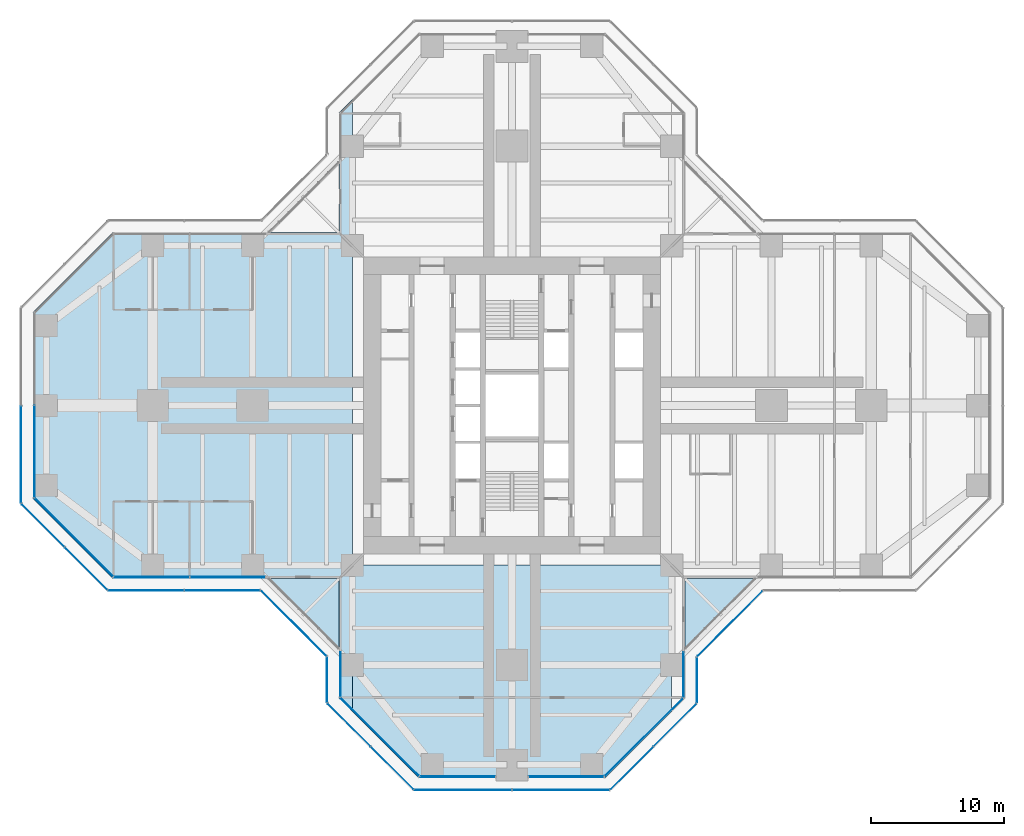
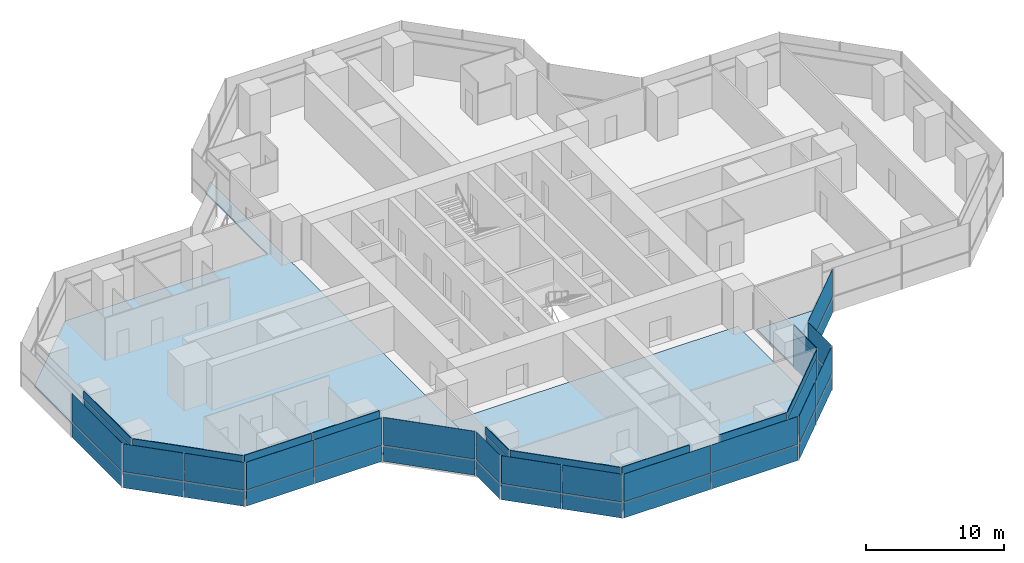
# One storey, part 12 of 20: 50 plates, 4 slabs, 19 elements without a shape of their own.
"""IFC4 building model written with IfcOpenShell, lengths in metres."""

from ifc_helpers import new_model, si_unit, direction, frame, origin, origin_2d, place, context, subcontext, project, spatial, polyline, rectangle, outline, extrude, material, layer, layer_set, type_object, element, aggregate, save


model = new_model("IFC4")

# Units and contexts
model_context = context("Model", 3, precision=1e-05, world=origin(), true_north=direction((0.0, 1.0)))
body_context = subcontext(model_context, "Body", "Model", "MODEL_VIEW")
ifc_project = project(units=[si_unit("LENGTHUNIT", "METRE"), si_unit("AREAUNIT", "SQUARE_METRE"), si_unit("VOLUMEUNIT", "CUBIC_METRE"), si_unit("PLANEANGLEUNIT", "RADIAN"), si_unit("MASSUNIT", "GRAM", prefix="KILO")], contexts=[model_context])

# Site, building, storey
site_placement = place(None, origin())
site = spatial("IfcSite", under=ifc_project, at=site_placement, CompositionType="ELEMENT")
building_placement = place(site_placement, origin())
building = spatial("IfcBuilding", under=site, at=building_placement, Name="Mizan Broadcast Tower", CompositionType="ELEMENT")
storey_placement = place(building_placement, frame((0.0, 0.0, 171.0)))
storey = spatial("IfcBuildingStorey", under=building, at=storey_placement, Name="L39", CompositionType="ELEMENT", Elevation=171.0)

# Slabs
ifc_material_1 = material(Name="Concrete C32/40", Category="concrete")
ifc_layer_1 = layer(ifc_material_1, 0.1298828125)
ifc_layer_set_1 = layer_set([ifc_layer_1], Name="Concrete C32/40")
slab_type_1 = type_object("IfcSlabType", Name="COMPOSITE DECK SLAB 130", PredefinedType="FLOOR", material=ifc_layer_set_1)
slab_1_placement = place(storey_placement, frame((0.0, 0.0, -0.1298828125)))
element("IfcSlab", 1, at=slab_1_placement, inside=storey, type_object=slab_type_1, Name="Floor slab L39 west arm", PredefinedType="FLOOR", context=body_context, shape_type="SweptSolid", body=[
    extrude(outline(polyline([(-13.0, -22.0), (-12.0, -23.0), (-12.0, 23.0), (-13.0, 22.0), (-13.0, 13.0), (-30.0, 13.0), (-36.0, 7.0), (-36.0, -7.0), (-30.0, -13.0), (-13.0, -13.0), (-13.0, -22.0)])), origin(), (0.0, 0.0, 1.0), 0.1298828125),
])
slab_2_placement = place(storey_placement, frame((0.0, 0.0, -0.1298828125)))
element("IfcSlab", 2, at=slab_2_placement, inside=storey, type_object=slab_type_1, Name="Floor slab L39 south arm", PredefinedType="FLOOR", context=body_context, shape_type="SweptSolid", body=[
    extrude(outline(polyline([(7.0, -28.0), (12.0, -23.0), (12.0, -12.0), (-12.0, -12.0), (-12.0, -23.0), (-7.0, -28.0), (7.0, -28.0)])), origin(), (0.0, 0.0, 1.0), 0.1298828125),
])

# Curtain wall, plate
ifc_material_2 = material(Name="Aluminium framed glazing", Category="aluminium")
curtain_wall_type_1 = type_object("IfcCurtainWallType", Name="INNER SKIN MID ZONE", PredefinedType="USERDEFINED", material=ifc_material_2)
curtain_wall_1_placement = place(storey_placement, origin())
curtain_wall_1 = element("IfcCurtainWall", 3, at=curtain_wall_1_placement, inside=storey, type_object=curtain_wall_type_1, Name="Inner skin mid zone L39 W end", ObjectType="INNER SKIN MID ZONE", PredefinedType="USERDEFINED")
ifc_material_3 = material(Name="Double glazing, clear low-e", Category="glass")
ifc_layer_2 = layer(ifc_material_3, 0.028076171875)
ifc_layer_set_2 = layer_set([ifc_layer_2], Name="Double glazing, clear low-e")
plate_type_1 = type_object("IfcPlateType", Name="INNER SKIN GLAZING UNIT", PredefinedType="CURTAIN_PANEL", material=ifc_layer_set_2)
plate_1_placement = place(storey_placement, frame((-35.89990234375, -3.46435546875, 0.0), z_axis=(0.0, 0.0, 1.0), x_axis=(0.0, -1.0, 0.0)))
plate_1 = element("IfcPlate", 4, at=plate_1_placement, type_object=plate_type_1, Name="Inner skin mid zone L39 W end panel 2.1", PredefinedType="CURTAIN_PANEL", context=body_context, shape_type="SweptSolid", body=[
    extrude(rectangle(XDim=6.86865234375, YDim=0.028076171875, at=origin_2d()), origin(), (0.0, 0.0, 1.0), 3.0),
])

curtain_wall_2_placement = place(storey_placement, origin())
curtain_wall_2 = element("IfcCurtainWall", 5, at=curtain_wall_2_placement, inside=storey, type_object=curtain_wall_type_1, Name="Inner skin mid zone L39 W chamfer", ObjectType="INNER SKIN MID ZONE", PredefinedType="USERDEFINED")
plate_2_placement = place(storey_placement, frame((-32.92919921875, -9.92919921875, 0.0), z_axis=(0.0, 0.0, 1.0), x_axis=(0.707106781187, -0.707106781187, 0.0)))
plate_2 = element("IfcPlate", 6, at=plate_2_placement, type_object=plate_type_1, Name="Inner skin mid zone L39 W chamfer panel 1.1", PredefinedType="CURTAIN_PANEL", context=body_context, shape_type="SweptSolid", body=[
    extrude(rectangle(XDim=8.282470703125, YDim=0.028076171875, at=origin_2d()), origin(), (0.0, 0.0, 1.0), 3.0),
])

# Curtain wall, plates
curtain_wall_3_placement = place(storey_placement, origin())
curtain_wall_3 = element("IfcCurtainWall", 7, at=curtain_wall_3_placement, inside=storey, type_object=curtain_wall_type_1, Name="Inner skin mid zone L39 W side", ObjectType="INNER SKIN MID ZONE", PredefinedType="USERDEFINED")
plate_3_placement = place(storey_placement, frame((-27.078857421875, -12.89990234375, 0.0), z_axis=(0.0, 0.0, 1.0), x_axis=(1.0, 0.0, 0.0)))
plate_3 = element("IfcPlate", 8, at=plate_3_placement, type_object=plate_type_1, Name="Inner skin mid zone L39 W side panel 1.1", PredefinedType="CURTAIN_PANEL", context=body_context, shape_type="SweptSolid", body=[
    extrude(rectangle(XDim=5.639404296875, YDim=0.028076171875, at=origin_2d()), origin(), (0.0, 0.0, 1.0), 3.0),
])
plate_4_placement = place(storey_placement, frame((-21.379638671875, -12.89990234375, 0.0), z_axis=(0.0, 0.0, 1.0), x_axis=(1.0, 0.0, 0.0)))
plate_4 = element("IfcPlate", 9, at=plate_4_placement, type_object=plate_type_1, Name="Inner skin mid zone L39 W side panel 2.1", PredefinedType="CURTAIN_PANEL", context=body_context, shape_type="SweptSolid", body=[
    extrude(rectangle(XDim=5.639404296875, YDim=0.028076171875, at=origin_2d()), origin(), (0.0, 0.0, 1.0), 3.0),
])

# Curtain wall, plate
curtain_wall_4_placement = place(storey_placement, origin())
curtain_wall_4 = element("IfcCurtainWall", 10, at=curtain_wall_4_placement, inside=storey, type_object=curtain_wall_type_1, Name="Inner skin mid zone L39 S side", ObjectType="INNER SKIN MID ZONE", PredefinedType="USERDEFINED")
plate_5_placement = place(storey_placement, frame((-12.89990234375, -20.229248046875, 0.0), z_axis=(0.0, 0.0, 1.0), x_axis=(0.0, -1.0, 0.0)))
plate_5 = element("IfcPlate", 11, at=plate_5_placement, type_object=plate_type_1, Name="Inner skin mid zone L39 S side panel 1.1", PredefinedType="CURTAIN_PANEL", context=body_context, shape_type="SweptSolid", body=[
    extrude(rectangle(XDim=3.338623046875, YDim=0.028076171875, at=origin_2d()), origin(), (0.0, 0.0, 1.0), 3.0),
])

curtain_wall_5_placement = place(storey_placement, origin())
curtain_wall_5 = element("IfcCurtainWall", 12, at=curtain_wall_5_placement, inside=storey, type_object=curtain_wall_type_1, Name="Inner skin mid zone L39 S chamfer", ObjectType="INNER SKIN MID ZONE", PredefinedType="USERDEFINED")
plate_6_placement = place(storey_placement, frame((-9.92919921875, -24.92919921875, 0.0), z_axis=(0.0, 0.0, 1.0), x_axis=(0.707106781187, -0.707106781187, 0.0)))
plate_6 = element("IfcPlate", 13, at=plate_6_placement, type_object=plate_type_1, Name="Inner skin mid zone L39 S chamfer panel 1.1", PredefinedType="CURTAIN_PANEL", context=body_context, shape_type="SweptSolid", body=[
    extrude(rectangle(XDim=8.282470703125, YDim=0.028076171875, at=origin_2d()), origin(), (0.0, 0.0, 1.0), 3.0),
])

curtain_wall_6_placement = place(storey_placement, origin())
curtain_wall_6 = element("IfcCurtainWall", 14, at=curtain_wall_6_placement, inside=storey, type_object=curtain_wall_type_1, Name="Inner skin mid zone L39 S end", ObjectType="INNER SKIN MID ZONE", PredefinedType="USERDEFINED")
plate_7_placement = place(storey_placement, frame((-4.079345703125, -27.89990234375, 0.0), z_axis=(0.0, 0.0, 1.0), x_axis=(1.0, 0.0, 0.0)))
plate_7 = element("IfcPlate", 15, at=plate_7_placement, type_object=plate_type_1, Name="Inner skin mid zone L39 S end panel 1.1", PredefinedType="CURTAIN_PANEL", context=body_context, shape_type="SweptSolid", body=[
    extrude(rectangle(XDim=5.638671875, YDim=0.028076171875, at=origin_2d()), origin(), (0.0, 0.0, 1.0), 3.0),
])

curtain_wall_7_placement = place(storey_placement, origin())
curtain_wall_7 = element("IfcCurtainWall", 16, at=curtain_wall_7_placement, inside=storey, type_object=curtain_wall_type_1, Name="Inner skin mid zone L39 S end", ObjectType="INNER SKIN MID ZONE", PredefinedType="USERDEFINED")
plate_8_placement = place(storey_placement, frame((4.079345703125, -27.89990234375, 0.0), z_axis=(0.0, 0.0, 1.0), x_axis=(1.0, 0.0, 0.0)))
plate_8 = element("IfcPlate", 17, at=plate_8_placement, type_object=plate_type_1, Name="Inner skin mid zone L39 S end panel 1.1", PredefinedType="CURTAIN_PANEL", context=body_context, shape_type="SweptSolid", body=[
    extrude(rectangle(XDim=5.638671875, YDim=0.028076171875, at=origin_2d()), origin(), (0.0, 0.0, 1.0), 3.0),
])

curtain_wall_8_placement = place(storey_placement, origin())
curtain_wall_8 = element("IfcCurtainWall", 18, at=curtain_wall_8_placement, inside=storey, type_object=curtain_wall_type_1, Name="Inner skin mid zone L39 S chamfer", ObjectType="INNER SKIN MID ZONE", PredefinedType="USERDEFINED")
plate_9_placement = place(storey_placement, frame((9.92919921875, -24.92919921875, 0.0), z_axis=(0.0, 0.0, 1.0), x_axis=(0.707106781187, 0.707106781187, 0.0)))
plate_9 = element("IfcPlate", 19, at=plate_9_placement, type_object=plate_type_1, Name="Inner skin mid zone L39 S chamfer panel 1.1", PredefinedType="CURTAIN_PANEL", context=body_context, shape_type="SweptSolid", body=[
    extrude(rectangle(XDim=8.282470703125, YDim=0.028076171875, at=origin_2d()), origin(), (0.0, 0.0, 1.0), 3.0),
])

curtain_wall_9_placement = place(storey_placement, origin())
curtain_wall_9 = element("IfcCurtainWall", 20, at=curtain_wall_9_placement, inside=storey, type_object=curtain_wall_type_1, Name="Inner skin mid zone L39 S side", ObjectType="INNER SKIN MID ZONE", PredefinedType="USERDEFINED")
plate_10_placement = place(storey_placement, frame((12.89990234375, -20.229248046875, 0.0), z_axis=(0.0, 0.0, 1.0), x_axis=(0.0, 1.0, 0.0)))
plate_10 = element("IfcPlate", 21, at=plate_10_placement, type_object=plate_type_1, Name="Inner skin mid zone L39 S side panel 1.1", PredefinedType="CURTAIN_PANEL", context=body_context, shape_type="SweptSolid", body=[
    extrude(rectangle(XDim=3.338623046875, YDim=0.028076171875, at=origin_2d()), origin(), (0.0, 0.0, 1.0), 3.0),
])

# Plate
ifc_material_4 = material(Name="Insulated aluminium spandrel panel, pale anodised", Category="aluminium")
ifc_layer_3 = layer(ifc_material_4, 0.050048828125)
ifc_layer_set_3 = layer_set([ifc_layer_3], Name="Insulated aluminium spandrel panel, pale anodised")
plate_type_2 = type_object("IfcPlateType", Name="INNER SKIN SPANDREL PANEL", PredefinedType="CURTAIN_PANEL", material=ifc_layer_set_3)
plate_11_placement = place(storey_placement, frame((-35.89990234375, -3.46435546875, 3.06005859375), z_axis=(0.0, 0.0, 1.0), x_axis=(0.0, -1.0, 0.0)))
plate_11 = element("IfcPlate", 22, at=plate_11_placement, type_object=plate_type_2, Name="Inner skin mid zone L39 W end panel 2.2", PredefinedType="CURTAIN_PANEL", context=body_context, shape_type="SweptSolid", body=[
    extrude(rectangle(XDim=6.86865234375, YDim=0.050048828125, at=origin_2d()), origin(), (0.0, 0.0, 1.0), 0.7099609375),
])

aggregate(curtain_wall_1, [plate_1, plate_11])

plate_12_placement = place(storey_placement, frame((-32.92919921875, -9.92919921875, 3.06005859375), z_axis=(0.0, 0.0, 1.0), x_axis=(0.707106781187, -0.707106781187, 0.0)))
plate_12 = element("IfcPlate", 23, at=plate_12_placement, type_object=plate_type_2, Name="Inner skin mid zone L39 W chamfer panel 1.2", PredefinedType="CURTAIN_PANEL", context=body_context, shape_type="SweptSolid", body=[
    extrude(rectangle(XDim=8.282470703125, YDim=0.050048828125, at=origin_2d()), origin(), (0.0, 0.0, 1.0), 0.7099609375),
])

aggregate(curtain_wall_2, [plate_2, plate_12])

plate_13_placement = place(storey_placement, frame((-27.078857421875, -12.89990234375, 3.06005859375), z_axis=(0.0, 0.0, 1.0), x_axis=(1.0, 0.0, 0.0)))
plate_13 = element("IfcPlate", 24, at=plate_13_placement, type_object=plate_type_2, Name="Inner skin mid zone L39 W side panel 1.2", PredefinedType="CURTAIN_PANEL", context=body_context, shape_type="SweptSolid", body=[
    extrude(rectangle(XDim=5.639404296875, YDim=0.050048828125, at=origin_2d()), origin(), (0.0, 0.0, 1.0), 0.7099609375),
])

plate_14_placement = place(storey_placement, frame((-21.379638671875, -12.89990234375, 3.06005859375), z_axis=(0.0, 0.0, 1.0), x_axis=(1.0, 0.0, 0.0)))
plate_14 = element("IfcPlate", 25, at=plate_14_placement, type_object=plate_type_2, Name="Inner skin mid zone L39 W side panel 2.2", PredefinedType="CURTAIN_PANEL", context=body_context, shape_type="SweptSolid", body=[
    extrude(rectangle(XDim=5.639404296875, YDim=0.050048828125, at=origin_2d()), origin(), (0.0, 0.0, 1.0), 0.7099609375),
])

aggregate(curtain_wall_3, [plate_3, plate_13, plate_4, plate_14])

plate_15_placement = place(storey_placement, frame((-12.89990234375, -20.229248046875, 3.06005859375), z_axis=(0.0, 0.0, 1.0), x_axis=(0.0, -1.0, 0.0)))
plate_15 = element("IfcPlate", 26, at=plate_15_placement, type_object=plate_type_2, Name="Inner skin mid zone L39 S side panel 1.2", PredefinedType="CURTAIN_PANEL", context=body_context, shape_type="SweptSolid", body=[
    extrude(rectangle(XDim=3.338623046875, YDim=0.050048828125, at=origin_2d()), origin(), (0.0, 0.0, 1.0), 0.7099609375),
])

aggregate(curtain_wall_4, [plate_5, plate_15])

plate_16_placement = place(storey_placement, frame((-9.92919921875, -24.92919921875, 3.06005859375), z_axis=(0.0, 0.0, 1.0), x_axis=(0.707106781187, -0.707106781187, 0.0)))
plate_16 = element("IfcPlate", 27, at=plate_16_placement, type_object=plate_type_2, Name="Inner skin mid zone L39 S chamfer panel 1.2", PredefinedType="CURTAIN_PANEL", context=body_context, shape_type="SweptSolid", body=[
    extrude(rectangle(XDim=8.282470703125, YDim=0.050048828125, at=origin_2d()), origin(), (0.0, 0.0, 1.0), 0.7099609375),
])

aggregate(curtain_wall_5, [plate_6, plate_16])

plate_17_placement = place(storey_placement, frame((-4.079345703125, -27.89990234375, 3.06005859375), z_axis=(0.0, 0.0, 1.0), x_axis=(1.0, 0.0, 0.0)))
plate_17 = element("IfcPlate", 28, at=plate_17_placement, type_object=plate_type_2, Name="Inner skin mid zone L39 S end panel 1.2", PredefinedType="CURTAIN_PANEL", context=body_context, shape_type="SweptSolid", body=[
    extrude(rectangle(XDim=5.638671875, YDim=0.050048828125, at=origin_2d()), origin(), (0.0, 0.0, 1.0), 0.7099609375),
])

aggregate(curtain_wall_6, [plate_7, plate_17])

plate_18_placement = place(storey_placement, frame((4.079345703125, -27.89990234375, 3.06005859375), z_axis=(0.0, 0.0, 1.0), x_axis=(1.0, 0.0, 0.0)))
plate_18 = element("IfcPlate", 29, at=plate_18_placement, type_object=plate_type_2, Name="Inner skin mid zone L39 S end panel 1.2", PredefinedType="CURTAIN_PANEL", context=body_context, shape_type="SweptSolid", body=[
    extrude(rectangle(XDim=5.638671875, YDim=0.050048828125, at=origin_2d()), origin(), (0.0, 0.0, 1.0), 0.7099609375),
])

aggregate(curtain_wall_7, [plate_8, plate_18])

plate_19_placement = place(storey_placement, frame((9.92919921875, -24.92919921875, 3.06005859375), z_axis=(0.0, 0.0, 1.0), x_axis=(0.707106781187, 0.707106781187, 0.0)))
plate_19 = element("IfcPlate", 30, at=plate_19_placement, type_object=plate_type_2, Name="Inner skin mid zone L39 S chamfer panel 1.2", PredefinedType="CURTAIN_PANEL", context=body_context, shape_type="SweptSolid", body=[
    extrude(rectangle(XDim=8.282470703125, YDim=0.050048828125, at=origin_2d()), origin(), (0.0, 0.0, 1.0), 0.7099609375),
])

aggregate(curtain_wall_8, [plate_9, plate_19])

plate_20_placement = place(storey_placement, frame((12.89990234375, -20.229248046875, 3.06005859375), z_axis=(0.0, 0.0, 1.0), x_axis=(0.0, 1.0, 0.0)))
plate_20 = element("IfcPlate", 31, at=plate_20_placement, type_object=plate_type_2, Name="Inner skin mid zone L39 S side panel 1.2", PredefinedType="CURTAIN_PANEL", context=body_context, shape_type="SweptSolid", body=[
    extrude(rectangle(XDim=3.338623046875, YDim=0.050048828125, at=origin_2d()), origin(), (0.0, 0.0, 1.0), 0.7099609375),
])

aggregate(curtain_wall_9, [plate_10, plate_20])

# Curtain wall, plates
ifc_material_5 = material(Name="Aluminium framed glazing", Category="aluminium")
curtain_wall_type_2 = type_object("IfcCurtainWallType", Name="OUTER SKIN", PredefinedType="USERDEFINED", material=ifc_material_5)
curtain_wall_10_placement = place(storey_placement, origin())
curtain_wall_10 = element("IfcCurtainWall", 32, at=curtain_wall_10_placement, inside=storey, type_object=curtain_wall_type_2, Name="Outer skin L39 W chamfer", ObjectType="OUTER SKIN", PredefinedType="USERDEFINED")
ifc_material_6 = material(Name="Laminated clear glass", Category="glass")
ifc_layer_4 = layer(ifc_material_6, 0.02001953125)
ifc_layer_set_4 = layer_set([ifc_layer_4], Name="Laminated clear glass")
plate_type_3 = type_object("IfcPlateType", Name="OUTER SKIN CLEAR GLASS", PredefinedType="CURTAIN_PANEL", material=ifc_layer_set_4)
plate_21_placement = place(storey_placement, frame((-35.254150390625, -9.018798828125, 0.0), z_axis=(0.0, 0.0, 1.0), x_axis=(0.707106781187, -0.707106781187, 0.0)))
plate_21 = element("IfcPlate", 33, at=plate_21_placement, type_object=plate_type_3, Name="Outer skin L39 W chamfer panel 1.1", PredefinedType="CURTAIN_PANEL", context=body_context, shape_type="SweptSolid", body=[
    extrude(rectangle(XDim=4.495361328125, YDim=0.02001953125, at=origin_2d()), origin(), (0.0, 0.0, 1.0), 1.3701171875),
])
plate_22_placement = place(storey_placement, frame((-35.254150390625, -9.018798828125, 1.43017578125), z_axis=(0.0, 0.0, 1.0), x_axis=(0.707106781187, -0.707106781187, 0.0)))
plate_22 = element("IfcPlate", 34, at=plate_22_placement, type_object=plate_type_3, Name="Outer skin L39 W chamfer panel 1.2", PredefinedType="CURTAIN_PANEL", context=body_context, shape_type="SweptSolid", body=[
    extrude(rectangle(XDim=4.495361328125, YDim=0.02001953125, at=origin_2d()), origin(), (0.0, 0.0, 1.0), 2.469970703125),
])

curtain_wall_11_placement = place(storey_placement, origin())
curtain_wall_11 = element("IfcCurtainWall", 35, at=curtain_wall_11_placement, inside=storey, type_object=curtain_wall_type_2, Name="Outer skin L39 W side", ObjectType="OUTER SKIN", PredefinedType="USERDEFINED")
plate_23_placement = place(storey_placement, frame((-27.477783203125, -13.89990234375, 0.0), z_axis=(0.0, 0.0, 1.0), x_axis=(1.0, 0.0, 0.0)))
plate_23 = element("IfcPlate", 36, at=plate_23_placement, type_object=plate_type_3, Name="Outer skin L39 W side panel 1.1", PredefinedType="CURTAIN_PANEL", context=body_context, shape_type="SweptSolid", body=[
    extrude(rectangle(XDim=5.6298828125, YDim=0.02001953125, at=origin_2d()), origin(), (0.0, 0.0, 1.0), 1.3701171875),
])
plate_24_placement = place(storey_placement, frame((-27.477783203125, -13.89990234375, 1.43017578125), z_axis=(0.0, 0.0, 1.0), x_axis=(1.0, 0.0, 0.0)))
plate_24 = element("IfcPlate", 37, at=plate_24_placement, type_object=plate_type_3, Name="Outer skin L39 W side panel 1.2", PredefinedType="CURTAIN_PANEL", context=body_context, shape_type="SweptSolid", body=[
    extrude(rectangle(XDim=5.6298828125, YDim=0.02001953125, at=origin_2d()), origin(), (0.0, 0.0, 1.0), 2.469970703125),
])

curtain_wall_12_placement = place(storey_placement, origin())
curtain_wall_12 = element("IfcCurtainWall", 38, at=curtain_wall_12_placement, inside=storey, type_object=curtain_wall_type_2, Name="Outer skin L39 W chamfer", ObjectType="OUTER SKIN", PredefinedType="USERDEFINED")
plate_25_placement = place(storey_placement, frame((-16.386474609375, -16.386474609375, 0.0), z_axis=(0.0, 0.0, 1.0), x_axis=(0.707106781187, -0.707106781187, 0.0)))
plate_25 = element("IfcPlate", 39, at=plate_25_placement, type_object=plate_type_3, Name="Outer skin L39 W chamfer panel 1.1", PredefinedType="CURTAIN_PANEL", context=body_context, shape_type="SweptSolid", body=[
    extrude(rectangle(XDim=6.87255859375, YDim=0.02001953125, at=origin_2d()), origin(), (0.0, 0.0, 1.0), 1.3701171875),
])
plate_26_placement = place(storey_placement, frame((-16.386474609375, -16.386474609375, 1.43017578125), z_axis=(0.0, 0.0, 1.0), x_axis=(0.707106781187, -0.707106781187, 0.0)))
plate_26 = element("IfcPlate", 40, at=plate_26_placement, type_object=plate_type_3, Name="Outer skin L39 W chamfer panel 1.2", PredefinedType="CURTAIN_PANEL", context=body_context, shape_type="SweptSolid", body=[
    extrude(rectangle(XDim=6.87255859375, YDim=0.02001953125, at=origin_2d()), origin(), (0.0, 0.0, 1.0), 2.469970703125),
])
aggregate(curtain_wall_12, [plate_25, plate_26])

curtain_wall_13_placement = place(storey_placement, origin())
curtain_wall_13 = element("IfcCurtainWall", 41, at=curtain_wall_13_placement, inside=storey, type_object=curtain_wall_type_2, Name="Outer skin L39 S side", ObjectType="OUTER SKIN", PredefinedType="USERDEFINED")
plate_27_placement = place(storey_placement, frame((-13.89990234375, -20.622802734375, 0.0), z_axis=(0.0, 0.0, 1.0), x_axis=(0.0, -1.0, 0.0)))
plate_27 = element("IfcPlate", 42, at=plate_27_placement, type_object=plate_type_3, Name="Outer skin L39 S side panel 1.1", PredefinedType="CURTAIN_PANEL", context=body_context, shape_type="SweptSolid", body=[
    extrude(rectangle(XDim=3.340087890625, YDim=0.02001953125, at=origin_2d()), origin(), (0.0, 0.0, 1.0), 1.3701171875),
])
plate_28_placement = place(storey_placement, frame((-13.89990234375, -20.622802734375, 1.43017578125), z_axis=(0.0, 0.0, 1.0), x_axis=(0.0, -1.0, 0.0)))
plate_28 = element("IfcPlate", 43, at=plate_28_placement, type_object=plate_type_3, Name="Outer skin L39 S side panel 1.2", PredefinedType="CURTAIN_PANEL", context=body_context, shape_type="SweptSolid", body=[
    extrude(rectangle(XDim=3.340087890625, YDim=0.02001953125, at=origin_2d()), origin(), (0.0, 0.0, 1.0), 2.469970703125),
])
aggregate(curtain_wall_13, [plate_27, plate_28])

curtain_wall_14_placement = place(storey_placement, origin())
curtain_wall_14 = element("IfcCurtainWall", 44, at=curtain_wall_14_placement, inside=storey, type_object=curtain_wall_type_2, Name="Outer skin L39 S chamfer", ObjectType="OUTER SKIN", PredefinedType="USERDEFINED")
plate_29_placement = place(storey_placement, frame((-12.254150390625, -24.018798828125, 0.0), z_axis=(0.0, 0.0, 1.0), x_axis=(0.707106781187, -0.707106781187, 0.0)))
plate_29 = element("IfcPlate", 45, at=plate_29_placement, type_object=plate_type_3, Name="Outer skin L39 S chamfer panel 1.1", PredefinedType="CURTAIN_PANEL", context=body_context, shape_type="SweptSolid", body=[
    extrude(rectangle(XDim=4.495361328125, YDim=0.02001953125, at=origin_2d()), origin(), (0.0, 0.0, 1.0), 1.3701171875),
])
plate_30_placement = place(storey_placement, frame((-12.254150390625, -24.018798828125, 1.43017578125), z_axis=(0.0, 0.0, 1.0), x_axis=(0.707106781187, -0.707106781187, 0.0)))
plate_30 = element("IfcPlate", 46, at=plate_30_placement, type_object=plate_type_3, Name="Outer skin L39 S chamfer panel 1.2", PredefinedType="CURTAIN_PANEL", context=body_context, shape_type="SweptSolid", body=[
    extrude(rectangle(XDim=4.495361328125, YDim=0.02001953125, at=origin_2d()), origin(), (0.0, 0.0, 1.0), 2.469970703125),
])

curtain_wall_15_placement = place(storey_placement, origin())
curtain_wall_15 = element("IfcCurtainWall", 47, at=curtain_wall_15_placement, inside=storey, type_object=curtain_wall_type_2, Name="Outer skin L39 S end", ObjectType="OUTER SKIN", PredefinedType="USERDEFINED")
plate_31_placement = place(storey_placement, frame((-3.66650390625, -28.89990234375, 0.0), z_axis=(0.0, 0.0, 1.0), x_axis=(1.0, 0.0, 0.0)))
plate_31 = element("IfcPlate", 48, at=plate_31_placement, type_object=plate_type_3, Name="Outer skin L39 S end panel 1.1", PredefinedType="CURTAIN_PANEL", context=body_context, shape_type="SweptSolid", body=[
    extrude(rectangle(XDim=7.252685546875, YDim=0.02001953125, at=origin_2d()), origin(), (0.0, 0.0, 1.0), 1.3701171875),
])
plate_32_placement = place(storey_placement, frame((-3.66650390625, -28.89990234375, 1.43017578125), z_axis=(0.0, 0.0, 1.0), x_axis=(1.0, 0.0, 0.0)))
plate_32 = element("IfcPlate", 49, at=plate_32_placement, type_object=plate_type_3, Name="Outer skin L39 S end panel 1.2", PredefinedType="CURTAIN_PANEL", context=body_context, shape_type="SweptSolid", body=[
    extrude(rectangle(XDim=7.252685546875, YDim=0.02001953125, at=origin_2d()), origin(), (0.0, 0.0, 1.0), 2.469970703125),
])

curtain_wall_16_placement = place(storey_placement, origin())
curtain_wall_16 = element("IfcCurtainWall", 50, at=curtain_wall_16_placement, inside=storey, type_object=curtain_wall_type_2, Name="Outer skin L39 S chamfer", ObjectType="OUTER SKIN", PredefinedType="USERDEFINED")
plate_33_placement = place(storey_placement, frame((9.018798828125, -27.254150390625, 0.0), z_axis=(0.0, 0.0, 1.0), x_axis=(0.707106781187, 0.707106781187, 0.0)))
plate_33 = element("IfcPlate", 51, at=plate_33_placement, type_object=plate_type_3, Name="Outer skin L39 S chamfer panel 1.1", PredefinedType="CURTAIN_PANEL", context=body_context, shape_type="SweptSolid", body=[
    extrude(rectangle(XDim=4.495361328125, YDim=0.02001953125, at=origin_2d()), origin(), (0.0, 0.0, 1.0), 1.3701171875),
])
plate_34_placement = place(storey_placement, frame((9.018798828125, -27.254150390625, 1.43017578125), z_axis=(0.0, 0.0, 1.0), x_axis=(0.707106781187, 0.707106781187, 0.0)))
plate_34 = element("IfcPlate", 52, at=plate_34_placement, type_object=plate_type_3, Name="Outer skin L39 S chamfer panel 1.2", PredefinedType="CURTAIN_PANEL", context=body_context, shape_type="SweptSolid", body=[
    extrude(rectangle(XDim=4.495361328125, YDim=0.02001953125, at=origin_2d()), origin(), (0.0, 0.0, 1.0), 2.469970703125),
])

curtain_wall_17_placement = place(storey_placement, origin())
curtain_wall_17 = element("IfcCurtainWall", 53, at=curtain_wall_17_placement, inside=storey, type_object=curtain_wall_type_2, Name="Outer skin L39 S side", ObjectType="OUTER SKIN", PredefinedType="USERDEFINED")
plate_35_placement = place(storey_placement, frame((13.89990234375, -20.622802734375, 0.0), z_axis=(0.0, 0.0, 1.0), x_axis=(0.0, 1.0, 0.0)))
plate_35 = element("IfcPlate", 54, at=plate_35_placement, type_object=plate_type_3, Name="Outer skin L39 S side panel 1.1", PredefinedType="CURTAIN_PANEL", context=body_context, shape_type="SweptSolid", body=[
    extrude(rectangle(XDim=3.340087890625, YDim=0.02001953125, at=origin_2d()), origin(), (0.0, 0.0, 1.0), 1.3701171875),
])
plate_36_placement = place(storey_placement, frame((13.89990234375, -20.622802734375, 1.43017578125), z_axis=(0.0, 0.0, 1.0), x_axis=(0.0, 1.0, 0.0)))
plate_36 = element("IfcPlate", 55, at=plate_36_placement, type_object=plate_type_3, Name="Outer skin L39 S side panel 1.2", PredefinedType="CURTAIN_PANEL", context=body_context, shape_type="SweptSolid", body=[
    extrude(rectangle(XDim=3.340087890625, YDim=0.02001953125, at=origin_2d()), origin(), (0.0, 0.0, 1.0), 2.469970703125),
])
aggregate(curtain_wall_17, [plate_35, plate_36])

curtain_wall_18_placement = place(storey_placement, origin())
curtain_wall_18 = element("IfcCurtainWall", 56, at=curtain_wall_18_placement, inside=storey, type_object=curtain_wall_type_2, Name="Outer skin L39 E chamfer", ObjectType="OUTER SKIN", PredefinedType="USERDEFINED")
plate_37_placement = place(storey_placement, frame((16.386474609375, -16.386474609375, 0.0), z_axis=(0.0, 0.0, 1.0), x_axis=(0.707106781187, 0.707106781187, 0.0)))
plate_37 = element("IfcPlate", 57, at=plate_37_placement, type_object=plate_type_3, Name="Outer skin L39 E chamfer panel 1.1", PredefinedType="CURTAIN_PANEL", context=body_context, shape_type="SweptSolid", body=[
    extrude(rectangle(XDim=6.87255859375, YDim=0.02001953125, at=origin_2d()), origin(), (0.0, 0.0, 1.0), 1.3701171875),
])
plate_38_placement = place(storey_placement, frame((16.386474609375, -16.386474609375, 1.43017578125), z_axis=(0.0, 0.0, 1.0), x_axis=(0.707106781187, 0.707106781187, 0.0)))
plate_38 = element("IfcPlate", 58, at=plate_38_placement, type_object=plate_type_3, Name="Outer skin L39 E chamfer panel 1.2", PredefinedType="CURTAIN_PANEL", context=body_context, shape_type="SweptSolid", body=[
    extrude(rectangle(XDim=6.87255859375, YDim=0.02001953125, at=origin_2d()), origin(), (0.0, 0.0, 1.0), 2.469970703125),
])
aggregate(curtain_wall_18, [plate_37, plate_38])

curtain_wall_19_placement = place(storey_placement, origin())
curtain_wall_19 = element("IfcCurtainWall", 59, at=curtain_wall_19_placement, inside=storey, type_object=curtain_wall_type_2, Name="Outer skin L39 W end", ObjectType="OUTER SKIN", PredefinedType="USERDEFINED")
ifc_material_7 = material(Name="Perforated aluminium, pale anodised", Category="aluminium")
ifc_layer_5 = layer(ifc_material_7, 0.011962890625)
ifc_layer_set_5 = layer_set([ifc_layer_5], Name="Perforated aluminium, pale anodised")
plate_type_4 = type_object("IfcPlateType", Name="OUTER SKIN PERFORATED SCREEN", PredefinedType="USERDEFINED", material=ifc_layer_set_5)
plate_39_placement = place(storey_placement, frame((-36.89990234375, -3.66650390625, 0.0), z_axis=(0.0, 0.0, 1.0), x_axis=(0.0, -1.0, 0.0)))
plate_39 = element("IfcPlate", 60, at=plate_39_placement, type_object=plate_type_4, Name="Outer skin L39 W end panel 2.1", ObjectType="SCREEN", PredefinedType="USERDEFINED", context=body_context, shape_type="SweptSolid", body=[
    extrude(rectangle(XDim=7.252685546875, YDim=0.011962890625, at=origin_2d()), origin(), (0.0, 0.0, 1.0), 1.3701171875),
])
plate_40_placement = place(storey_placement, frame((-36.89990234375, -3.66650390625, 1.43017578125), z_axis=(0.0, 0.0, 1.0), x_axis=(0.0, -1.0, 0.0)))
plate_40 = element("IfcPlate", 61, at=plate_40_placement, type_object=plate_type_4, Name="Outer skin L39 W end panel 2.2", ObjectType="SCREEN", PredefinedType="USERDEFINED", context=body_context, shape_type="SweptSolid", body=[
    extrude(rectangle(XDim=7.252685546875, YDim=0.011962890625, at=origin_2d()), origin(), (0.0, 0.0, 1.0), 2.469970703125),
])
aggregate(curtain_wall_19, [plate_39, plate_40])

# Plate
plate_41_placement = place(storey_placement, frame((-32.018798828125, -12.254150390625, 0.0), z_axis=(0.0, 0.0, 1.0), x_axis=(0.707106781187, -0.707106781187, 0.0)))
plate_41 = element("IfcPlate", 62, at=plate_41_placement, type_object=plate_type_4, Name="Outer skin L39 W chamfer panel 2.1", ObjectType="SCREEN", PredefinedType="USERDEFINED", context=body_context, shape_type="SweptSolid", body=[
    extrude(rectangle(XDim=4.495361328125, YDim=0.011962890625, at=origin_2d()), origin(), (0.0, 0.0, 1.0), 1.3701171875),
])

plate_42_placement = place(storey_placement, frame((-32.018798828125, -12.254150390625, 1.43017578125), z_axis=(0.0, 0.0, 1.0), x_axis=(0.707106781187, -0.707106781187, 0.0)))
plate_42 = element("IfcPlate", 63, at=plate_42_placement, type_object=plate_type_4, Name="Outer skin L39 W chamfer panel 2.2", ObjectType="SCREEN", PredefinedType="USERDEFINED", context=body_context, shape_type="SweptSolid", body=[
    extrude(rectangle(XDim=4.495361328125, YDim=0.011962890625, at=origin_2d()), origin(), (0.0, 0.0, 1.0), 2.469970703125),
])

aggregate(curtain_wall_10, [plate_21, plate_22, plate_41, plate_42])

plate_43_placement = place(storey_placement, frame((-21.767822265625, -13.89990234375, 0.0), z_axis=(0.0, 0.0, 1.0), x_axis=(1.0, 0.0, 0.0)))
plate_43 = element("IfcPlate", 64, at=plate_43_placement, type_object=plate_type_4, Name="Outer skin L39 W side panel 2.1", ObjectType="SCREEN", PredefinedType="USERDEFINED", context=body_context, shape_type="SweptSolid", body=[
    extrude(rectangle(XDim=5.6298828125, YDim=0.011962890625, at=origin_2d()), origin(), (0.0, 0.0, 1.0), 1.3701171875),
])

plate_44_placement = place(storey_placement, frame((-21.767822265625, -13.89990234375, 1.43017578125), z_axis=(0.0, 0.0, 1.0), x_axis=(1.0, 0.0, 0.0)))
plate_44 = element("IfcPlate", 65, at=plate_44_placement, type_object=plate_type_4, Name="Outer skin L39 W side panel 2.2", ObjectType="SCREEN", PredefinedType="USERDEFINED", context=body_context, shape_type="SweptSolid", body=[
    extrude(rectangle(XDim=5.6298828125, YDim=0.011962890625, at=origin_2d()), origin(), (0.0, 0.0, 1.0), 2.469970703125),
])

aggregate(curtain_wall_11, [plate_23, plate_24, plate_43, plate_44])

plate_45_placement = place(storey_placement, frame((-9.018798828125, -27.254150390625, 0.0), z_axis=(0.0, 0.0, 1.0), x_axis=(0.707106781187, -0.707106781187, 0.0)))
plate_45 = element("IfcPlate", 66, at=plate_45_placement, type_object=plate_type_4, Name="Outer skin L39 S chamfer panel 2.1", ObjectType="SCREEN", PredefinedType="USERDEFINED", context=body_context, shape_type="SweptSolid", body=[
    extrude(rectangle(XDim=4.495361328125, YDim=0.011962890625, at=origin_2d()), origin(), (0.0, 0.0, 1.0), 1.3701171875),
])

plate_46_placement = place(storey_placement, frame((-9.018798828125, -27.254150390625, 1.43017578125), z_axis=(0.0, 0.0, 1.0), x_axis=(0.707106781187, -0.707106781187, 0.0)))
plate_46 = element("IfcPlate", 67, at=plate_46_placement, type_object=plate_type_4, Name="Outer skin L39 S chamfer panel 2.2", ObjectType="SCREEN", PredefinedType="USERDEFINED", context=body_context, shape_type="SweptSolid", body=[
    extrude(rectangle(XDim=4.495361328125, YDim=0.011962890625, at=origin_2d()), origin(), (0.0, 0.0, 1.0), 2.469970703125),
])

aggregate(curtain_wall_14, [plate_29, plate_30, plate_45, plate_46])

plate_47_placement = place(storey_placement, frame((3.66650390625, -28.89990234375, 0.0), z_axis=(0.0, 0.0, 1.0), x_axis=(1.0, 0.0, 0.0)))
plate_47 = element("IfcPlate", 68, at=plate_47_placement, type_object=plate_type_4, Name="Outer skin L39 S end panel 2.1", ObjectType="SCREEN", PredefinedType="USERDEFINED", context=body_context, shape_type="SweptSolid", body=[
    extrude(rectangle(XDim=7.252685546875, YDim=0.011962890625, at=origin_2d()), origin(), (0.0, 0.0, 1.0), 1.3701171875),
])

plate_48_placement = place(storey_placement, frame((3.66650390625, -28.89990234375, 1.43017578125), z_axis=(0.0, 0.0, 1.0), x_axis=(1.0, 0.0, 0.0)))
plate_48 = element("IfcPlate", 69, at=plate_48_placement, type_object=plate_type_4, Name="Outer skin L39 S end panel 2.2", ObjectType="SCREEN", PredefinedType="USERDEFINED", context=body_context, shape_type="SweptSolid", body=[
    extrude(rectangle(XDim=7.252685546875, YDim=0.011962890625, at=origin_2d()), origin(), (0.0, 0.0, 1.0), 2.469970703125),
])

aggregate(curtain_wall_15, [plate_31, plate_32, plate_47, plate_48])

plate_49_placement = place(storey_placement, frame((12.254150390625, -24.018798828125, 0.0), z_axis=(0.0, 0.0, 1.0), x_axis=(0.707106781187, 0.707106781187, 0.0)))
plate_49 = element("IfcPlate", 70, at=plate_49_placement, type_object=plate_type_4, Name="Outer skin L39 S chamfer panel 2.1", ObjectType="SCREEN", PredefinedType="USERDEFINED", context=body_context, shape_type="SweptSolid", body=[
    extrude(rectangle(XDim=4.495361328125, YDim=0.011962890625, at=origin_2d()), origin(), (0.0, 0.0, 1.0), 1.3701171875),
])

plate_50_placement = place(storey_placement, frame((12.254150390625, -24.018798828125, 1.43017578125), z_axis=(0.0, 0.0, 1.0), x_axis=(0.707106781187, 0.707106781187, 0.0)))
plate_50 = element("IfcPlate", 71, at=plate_50_placement, type_object=plate_type_4, Name="Outer skin L39 S chamfer panel 2.2", ObjectType="SCREEN", PredefinedType="USERDEFINED", context=body_context, shape_type="SweptSolid", body=[
    extrude(rectangle(XDim=4.495361328125, YDim=0.011962890625, at=origin_2d()), origin(), (0.0, 0.0, 1.0), 2.469970703125),
])

aggregate(curtain_wall_16, [plate_33, plate_34, plate_49, plate_50])

# Slabs
ifc_material_8 = material(Name="Concrete C32/40", Category="concrete")
ifc_layer_6 = layer(ifc_material_8, 0.1298828125)
ifc_layer_set_6 = layer_set([ifc_layer_6], Name="Concrete C32/40")
slab_type_2 = type_object("IfcSlabType", Name="WINTER GARDEN SLAB 130", PredefinedType="FLOOR", material=ifc_layer_set_6)
slab_3_placement = place(storey_placement, frame((0.0, 0.0, -0.1298828125)))
element("IfcSlab", 72, at=slab_3_placement, inside=storey, type_object=slab_type_2, Name="Winter garden slab L39 W", PredefinedType="FLOOR", context=body_context, shape_type="SweptSolid", body=[
    extrude(outline(polyline([(-13.0, -13.0), (-18.5, -13.0), (-13.0, -18.5), (-13.0, -13.0)])), origin(), (0.0, 0.0, 1.0), 0.1298828125),
])
slab_4_placement = place(storey_placement, frame((0.0, 0.0, -0.1298828125)))
element("IfcSlab", 73, at=slab_4_placement, inside=storey, type_object=slab_type_2, Name="Winter garden slab L39 S", PredefinedType="FLOOR", context=body_context, shape_type="SweptSolid", body=[
    extrude(outline(polyline([(13.0, -13.0), (13.0, -18.5), (18.5, -13.0), (13.0, -13.0)])), origin(), (0.0, 0.0, 1.0), 0.1298828125),
])

save(model, "model.ifc")
